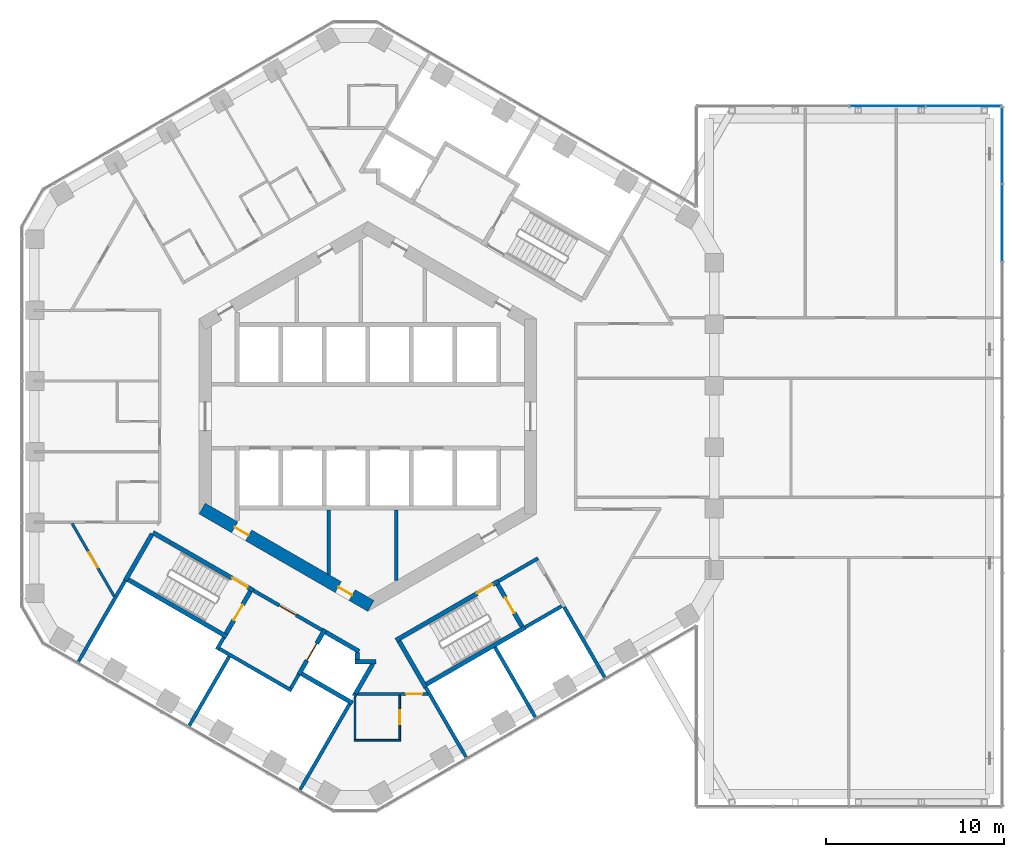
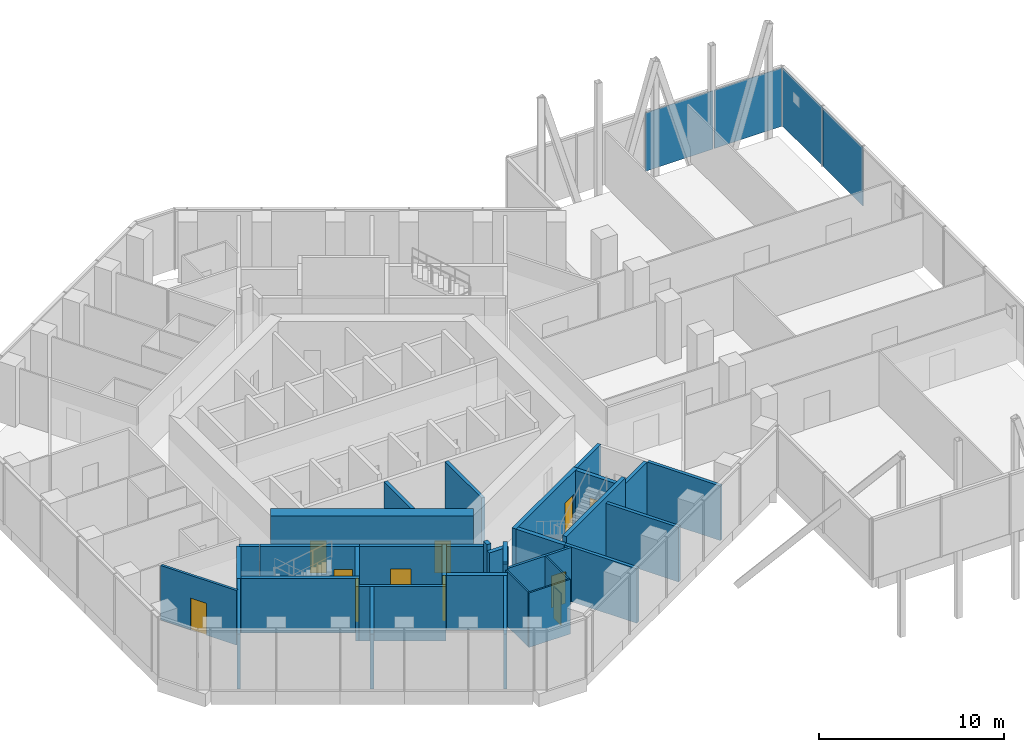
# One storey, part 18 of 24: 36 walls, 11 doors, 4 plates, 11 openings, 2 elements without a shape of their own.
"""IFC4 building model written with IfcOpenShell, lengths in metres."""

from ifc_helpers import new_model, si_unit, direction, frame, frame_2d, origin, origin_2d, place, context, subcontext, project, spatial, rectangle, extrude, material, layer, layer_set, type_object, element, fill, aggregate, save


model = new_model("IFC4")

# Units and contexts
model_context = context("Model", 3, precision=1e-05, world=origin(), true_north=direction((0.0, 1.0)))
body_context = subcontext(model_context, "Body", "Model", "MODEL_VIEW")
ifc_project = project(units=[si_unit("LENGTHUNIT", "METRE"), si_unit("AREAUNIT", "SQUARE_METRE"), si_unit("VOLUMEUNIT", "CUBIC_METRE"), si_unit("PLANEANGLEUNIT", "RADIAN"), si_unit("MASSUNIT", "GRAM", prefix="KILO")], contexts=[model_context])

# Site, building, storey
site_placement = place(None, origin())
site = spatial("IfcSite", under=ifc_project, at=site_placement, CompositionType="ELEMENT")
building_placement = place(site_placement, origin())
building = spatial("IfcBuilding", under=site, at=building_placement, Name="Ayvan Gate Tower", CompositionType="ELEMENT")
storey_placement = place(building_placement, frame((0.0, 0.0, 124.5)))
storey = spatial("IfcBuildingStorey", under=building, at=storey_placement, Name="L33", CompositionType="ELEMENT", Elevation=124.5)

# Curtain wall, plates
ifc_material_1 = material(Name="Bronze anodised aluminium", Category="aluminium")
ifc_layer_1 = layer(ifc_material_1, 0.199951171875)
ifc_layer_set_1 = layer_set([ifc_layer_1], Name="Bronze anodised aluminium")
curtain_wall_type = type_object("IfcCurtainWallType", Name="Stick curtain wall CW-4", PredefinedType="NOTDEFINED", material=ifc_layer_set_1)
curtain_wall_1_placement = place(storey_placement, origin())
curtain_wall_1 = element("IfcCurtainWall", 1, at=curtain_wall_1_placement, inside=storey, type_object=curtain_wall_type, Name="Stick curtain wall CW-4 L33", PredefinedType="NOTDEFINED")
ifc_material_2 = material(Name="Pale anodised aluminium composite panel", Category="aluminium")
ifc_layer_2 = layer(ifc_material_2, 0.028076171875)
ifc_layer_set_2 = layer_set([ifc_layer_2], Name="Pale anodised aluminium composite panel")
plate_type = type_object("IfcPlateType", Name="Stick curtain wall CW-4 solid panel", PredefinedType="CURTAIN_PANEL", material=ifc_layer_set_2)
plate_1_placement = place(storey_placement, frame((35.685546875, 10.88330078125, 0.0), z_axis=(0.0, 0.0, 1.0), x_axis=(0.0, 1.0, 0.0)))
plate_1 = element("IfcPlate", 2, at=plate_1_placement, type_object=plate_type, Name="CW-4 solid panel 8", PredefinedType="CURTAIN_PANEL", context=body_context, shape_type="SweptSolid", body=[
    extrude(rectangle(XDim=4.2978515625, YDim=0.028076171875, at=origin_2d()), origin(), (0.0, 0.0, 1.0), 3.860107421875),
])
plate_2_placement = place(storey_placement, frame((35.685546875, 15.26123046875, 0.0), z_axis=(0.0, 0.0, 1.0), x_axis=(0.0, 1.0, 0.0)))
plate_2 = element("IfcPlate", 3, at=plate_2_placement, type_object=plate_type, Name="CW-4 solid panel 9", PredefinedType="CURTAIN_PANEL", context=body_context, shape_type="SweptSolid", body=[
    extrude(rectangle(XDim=4.2978515625, YDim=0.028076171875, at=origin_2d()), origin(), (0.0, 0.0, 1.0), 3.860107421875),
])
aggregate(curtain_wall_1, [plate_1, plate_2])

curtain_wall_2_placement = place(storey_placement, origin())
curtain_wall_2 = element("IfcCurtainWall", 4, at=curtain_wall_2_placement, inside=storey, type_object=curtain_wall_type, Name="Stick curtain wall CW-4 L33", PredefinedType="NOTDEFINED")
plate_3_placement = place(storey_placement, frame((33.53564453125, 17.449951171875, 0.0), z_axis=(0.0, 0.0, 1.0), x_axis=(-1.0, 0.0, 0.0)))
plate_3 = element("IfcPlate", 5, at=plate_3_placement, type_object=plate_type, Name="CW-4 solid panel 1", PredefinedType="CURTAIN_PANEL", context=body_context, shape_type="SweptSolid", body=[
    extrude(rectangle(XDim=4.219970703125, YDim=0.028076171875, at=origin_2d()), origin(), (0.0, 0.0, 1.0), 3.860107421875),
])
plate_4_placement = place(storey_placement, frame((29.235595703125, 17.449951171875, 0.0), z_axis=(0.0, 0.0, 1.0), x_axis=(-1.0, 0.0, 0.0)))
plate_4 = element("IfcPlate", 6, at=plate_4_placement, type_object=plate_type, Name="CW-4 solid panel 2", PredefinedType="CURTAIN_PANEL", context=body_context, shape_type="SweptSolid", body=[
    extrude(rectangle(XDim=4.219970703125, YDim=0.028076171875, at=origin_2d()), origin(), (0.0, 0.0, 1.0), 3.860107421875),
])
aggregate(curtain_wall_2, [plate_3, plate_4])

# Wall, openings, doors
ifc_material_3 = material(Name="Concrete C70/85", Category="concrete")
ifc_layer_3 = layer(ifc_material_3, 0.699951171875)
ifc_layer_set_3 = layer_set([ifc_layer_3], Name="Concrete C70/85")
wall_type_1 = type_object("IfcWallType", Name="Core wall 700 C70/85", PredefinedType="SHEAR", material=ifc_layer_set_3)
wall_1_placement = place(storey_placement, frame((-9.324951171875, -5.181640625, 0.0), z_axis=(0.0, 0.0, 1.0), x_axis=(0.866023993627, -0.500002442456, 0.0)))
wall_1 = element("IfcWall", 7, at=wall_1_placement, inside=storey, type_object=wall_type_1, Name="CORE-L33-4", PredefinedType="SHEAR", context=body_context, shape_type="SweptSolid", body=[
    extrude(rectangle(XDim=10.9697265625, YDim=0.699951171875, at=frame_2d((5.48486328125, 0.0))), origin(), (0.0, 0.0, 1.0), 4.0),
])
opening_1_placement = place(wall_1_placement, frame((2.12451171875, 0.0, 0.0)))
opening_1 = element("IfcOpeningElement", 8, at=opening_1_placement, cuts=wall_1, Name="Opening L33-D48", PredefinedType="OPENING", context=body_context, shape_type="SweptSolid", body=[
    extrude(rectangle(XDim=0.89990234375, YDim=2.10009765625, at=frame_2d((0.449951171875, 1.050048828125))), frame((0.0, 0.35986328125, 0.0), z_axis=(0.0, -1.0, 0.0), x_axis=(1.0, 0.0, 0.0)), (0.0, 0.0, 1.0), 0.719970703125),
])
opening_2_placement = place(wall_1_placement, frame((8.8447265625, 0.0, 0.0)))
opening_2 = element("IfcOpeningElement", 9, at=opening_2_placement, cuts=wall_1, Name="Opening L33-D49", PredefinedType="OPENING", context=body_context, shape_type="SweptSolid", body=[
    extrude(rectangle(XDim=0.89990234375, YDim=2.10009765625, at=frame_2d((0.449951171875, 1.050048828125))), frame((0.0, 0.35986328125, 0.0), z_axis=(0.0, -1.0, 0.0), x_axis=(1.0, 0.0, 0.0)), (0.0, 0.0, 1.0), 0.719970703125),
])
ifc_material_4 = material(Name="Timber door leaf", Category="wood")
door_type_1 = type_object("IfcDoorType", Name="DT-900", OperationType="NOTDEFINED", PredefinedType="DOOR", material=ifc_material_4)
door_1_placement = place(opening_1_placement, origin())
door_1 = element("IfcDoor", 10, at=door_1_placement, inside=storey, type_object=door_type_1, Name="CD-L33-48", OperationType="SINGLE_SWING_LEFT", OverallHeight=2.10009765625, OverallWidth=0.89990234375, PredefinedType="DOOR", context=body_context, shape_type="SweptSolid", body=[
    extrude(rectangle(XDim=0.89990234375, YDim=2.10009765625, at=frame_2d((0.449951171875, 1.050048828125))), frame((0.0, 0.02490234375, 0.0), z_axis=(0.0, -1.0, 0.0), x_axis=(1.0, 0.0, 0.0)), (0.0, 0.0, 1.0), 0.050048828125),
])
fill(opening_1, door_1)
door_2_placement = place(opening_2_placement, origin())
door_2 = element("IfcDoor", 11, at=door_2_placement, inside=storey, type_object=door_type_1, Name="CD-L33-49", OperationType="SINGLE_SWING_RIGHT", OverallHeight=2.10009765625, OverallWidth=0.89990234375, PredefinedType="DOOR", context=body_context, shape_type="SweptSolid", body=[
    extrude(rectangle(XDim=0.89990234375, YDim=2.10009765625, at=frame_2d((0.449951171875, 1.050048828125))), frame((0.0, 0.02490234375, 0.0), z_axis=(0.0, -1.0, 0.0), x_axis=(1.0, 0.0, 0.0)), (0.0, 0.0, 1.0), 0.050048828125),
])
fill(opening_2, door_2)

# Wall, opening, door
ifc_material_5 = material(Name="Plasterboard on steel stud", Category="steel")
ifc_layer_4 = layer(ifc_material_5, 0.14990234375)
ifc_layer_set_4 = layer_set([ifc_layer_4], Name="Plasterboard on steel stud")
wall_type_2 = type_object("IfcWallType", Name="WT-CORR-150", PredefinedType="PARTITIONING", material=ifc_layer_set_4)
wall_2_placement = place(storey_placement, frame((-14.263671875, -10.132080078125, 0.0), z_axis=(0.0, 0.0, 1.0), x_axis=(-0.500004756968, 0.866022657331, 0.0)))
wall_2 = element("IfcWall", 12, at=wall_2_placement, inside=storey, type_object=wall_type_2, Name="IW-L33-006", PredefinedType="PARTITIONING", context=body_context, shape_type="SweptSolid", body=[
    extrude(rectangle(XDim=4.7412109375, YDim=0.14990234375, at=frame_2d((2.37060546875, 0.0))), origin(), (0.0, 0.0, 1.0), 3.60009765625),
])
opening_3_placement = place(wall_2_placement, frame((1.87060546875, 0.0, 0.0)))
opening_3 = element("IfcOpeningElement", 13, at=opening_3_placement, cuts=wall_2, Name="Opening L33-D25", PredefinedType="OPENING", context=body_context, shape_type="SweptSolid", body=[
    extrude(rectangle(XDim=1.0, YDim=2.10009765625, at=frame_2d((0.5, 1.050048828125))), frame((0.0, 0.0849609375, 0.0), z_axis=(0.0, -1.0, 0.0), x_axis=(1.0, 0.0, 0.0)), (0.0, 0.0, 1.0), 0.169921875),
])
door_type_2 = type_object("IfcDoorType", Name="DT-1000", OperationType="NOTDEFINED", PredefinedType="DOOR", material=ifc_material_4)
door_3_placement = place(opening_3_placement, origin())
door_3 = element("IfcDoor", 14, at=door_3_placement, inside=storey, type_object=door_type_2, Name="ID-L33-025", OperationType="SINGLE_SWING_RIGHT", OverallHeight=2.10009765625, OverallWidth=1.0, PredefinedType="DOOR", context=body_context, shape_type="SweptSolid", body=[
    extrude(rectangle(XDim=1.0, YDim=2.10009765625, at=frame_2d((0.5, 1.050048828125))), frame((0.0, 0.02490234375, 0.0), z_axis=(0.0, -1.0, 0.0), x_axis=(1.0, 0.0, 0.0)), (0.0, 0.0, 1.0), 0.050048828125),
])
fill(opening_3, door_3)

wall_3_placement = place(storey_placement, frame((-0.57861328125, -15.61865234375, 0.0), z_axis=(0.0, 0.0, 1.0), x_axis=(1.0, 0.0, 0.0)))
wall_3 = element("IfcWall", 15, at=wall_3_placement, inside=storey, type_object=wall_type_2, Name="IW-L33-076", PredefinedType="PARTITIONING", context=body_context, shape_type="SweptSolid", body=[
    extrude(rectangle(XDim=3.95361328125, YDim=0.14990234375, at=frame_2d((1.976806640625, 0.0))), origin(), (0.0, 0.0, 1.0), 3.60009765625),
])
opening_4_placement = place(wall_3_placement, frame((2.727294921875, 0.0, 0.0)))
opening_4 = element("IfcOpeningElement", 16, at=opening_4_placement, cuts=wall_3, Name="Opening L33-D26", PredefinedType="OPENING", context=body_context, shape_type="SweptSolid", body=[
    extrude(rectangle(XDim=0.89990234375, YDim=2.10009765625, at=frame_2d((0.449951171875, 1.050048828125))), frame((0.0, 0.0849609375, 0.0), z_axis=(0.0, -1.0, 0.0), x_axis=(1.0, 0.0, 0.0)), (0.0, 0.0, 1.0), 0.169921875),
])
door_4_placement = place(opening_4_placement, origin())
door_4 = element("IfcDoor", 17, at=door_4_placement, inside=storey, type_object=door_type_1, Name="ID-L33-026", OperationType="SINGLE_SWING_LEFT", OverallHeight=2.10009765625, OverallWidth=0.89990234375, PredefinedType="DOOR", context=body_context, shape_type="SweptSolid", body=[
    extrude(rectangle(XDim=0.89990234375, YDim=2.10009765625, at=frame_2d((0.449951171875, 1.050048828125))), frame((0.0, 0.02490234375, 0.0), z_axis=(0.0, -1.0, 0.0), x_axis=(1.0, 0.0, 0.0)), (0.0, 0.0, 1.0), 0.050048828125),
])
fill(opening_4, door_4)

# Walls
ifc_layer_5 = layer(ifc_material_5, 0.10009765625)
ifc_layer_set_5 = layer_set([ifc_layer_5], Name="Plasterboard on steel stud")
wall_type_3 = type_object("IfcWallType", Name="WT-PART-100", PredefinedType="PARTITIONING", material=ifc_layer_set_5)
wall_4_placement = place(storey_placement, frame((-0.77099609375, -18.21875, 0.0), z_axis=(0.0, 0.0, 1.0), x_axis=(1.0, 0.0, 0.0)))
element("IfcWall", 18, at=wall_4_placement, inside=storey, type_object=wall_type_3, Name="IW-L33-057", PredefinedType="PARTITIONING", context=body_context, shape_type="SweptSolid", body=[
    extrude(rectangle(XDim=2.61328125, YDim=0.10009765625, at=frame_2d((1.306640625, 0.0))), origin(), (0.0, 0.0, 1.0), 3.60009765625),
])
wall_5_placement = place(storey_placement, frame((-0.720947265625, -15.773681640625, 0.0), z_axis=(0.0, 0.0, 1.0), x_axis=(0.0, -1.0, 0.0)))
element("IfcWall", 19, at=wall_5_placement, inside=storey, type_object=wall_type_3, Name="IW-L33-058", PredefinedType="PARTITIONING", context=body_context, shape_type="SweptSolid", body=[
    extrude(rectangle(XDim=2.39501953125, YDim=0.10009765625, at=frame_2d((1.197509765625, 0.0))), origin(), (0.0, 0.0, 1.0), 3.60009765625),
])

# Wall, opening, door
wall_6_placement = place(storey_placement, frame((1.792236328125, -18.168701171875, 0.0), z_axis=(0.0, 0.0, 1.0), x_axis=(0.0, 1.0, 0.0)))
wall_6 = element("IfcWall", 20, at=wall_6_placement, inside=storey, type_object=wall_type_3, Name="IW-L33-075", PredefinedType="PARTITIONING", context=body_context, shape_type="SweptSolid", body=[
    extrude(rectangle(XDim=2.47509765625, YDim=0.10009765625, at=frame_2d((1.237548828125, 0.0))), origin(), (0.0, 0.0, 1.0), 3.60009765625),
])
opening_5_placement = place(wall_6_placement, frame((0.83740234375, 0.0, 0.0)))
opening_5 = element("IfcOpeningElement", 21, at=opening_5_placement, cuts=wall_6, Name="Opening L33-D27", PredefinedType="OPENING", context=body_context, shape_type="SweptSolid", body=[
    extrude(rectangle(XDim=0.800048828125, YDim=2.10009765625, at=frame_2d((0.39990234375, 1.050048828125))), frame((0.0, 0.06005859375, 0.0), z_axis=(0.0, -1.0, 0.0), x_axis=(1.0, 0.0, 0.0)), (0.0, 0.0, 1.0), 0.1201171875),
])
door_type_3 = type_object("IfcDoorType", Name="DT-800", OperationType="NOTDEFINED", PredefinedType="DOOR", material=ifc_material_4)
door_5_placement = place(opening_5_placement, origin())
door_5 = element("IfcDoor", 22, at=door_5_placement, inside=storey, type_object=door_type_3, Name="ID-L33-027", OperationType="SINGLE_SWING_RIGHT", OverallHeight=2.10009765625, OverallWidth=0.800048828125, PredefinedType="DOOR", context=body_context, shape_type="SweptSolid", body=[
    extrude(rectangle(XDim=0.800048828125, YDim=2.10009765625, at=frame_2d((0.39990234375, 1.050048828125))), frame((0.0, 0.02490234375, 0.0), z_axis=(0.0, -1.0, 0.0), x_axis=(1.0, 0.0, 0.0)), (0.0, 0.0, 1.0), 0.050048828125),
])
fill(opening_5, door_5)

# Walls
ifc_layer_6 = layer(ifc_material_5, 0.199951171875)
ifc_layer_set_6 = layer_set([ifc_layer_6], Name="Plasterboard on steel stud")
wall_type_4 = type_object("IfcWallType", Name="WT-PLUMB-200", PredefinedType="PLUMBINGWALL", material=ifc_layer_set_6)
wall_7_placement = place(storey_placement, frame((-16.276123046875, -13.791259765625, 0.0), z_axis=(0.0, 0.0, 1.0), x_axis=(0.499970375258, 0.866042506961, 0.0)))
element("IfcWall", 23, at=wall_7_placement, inside=storey, type_object=wall_type_4, Name="IW-L33-004", PredefinedType="PLUMBINGWALL", context=body_context, shape_type="SweptSolid", body=[
    extrude(rectangle(XDim=5.256591796875, YDim=0.199951171875, at=frame_2d((2.62841796875, 0.0))), origin(), (0.0, 0.0, 1.0), 3.60009765625),
])
wall_8_placement = place(storey_placement, frame((-8.492919921875, -13.110107421875, 0.0), z_axis=(0.0, 0.0, 1.0), x_axis=(0.500067724834, 0.865986299303, 0.0)))
element("IfcWall", 24, at=wall_8_placement, inside=storey, type_object=wall_type_4, Name="IW-L33-023", PredefinedType="PLUMBINGWALL", context=body_context, shape_type="SweptSolid", body=[
    extrude(rectangle(XDim=0.775390625, YDim=0.199951171875, at=frame_2d((0.3876953125, 0.0))), origin(), (0.0, 0.0, 1.0), 3.60009765625),
])
wall_9_placement = place(storey_placement, frame((-7.800048828125, -13.510009765625, 0.0), z_axis=(0.0, 0.0, 1.0), x_axis=(-0.499994393058, -0.866028640929, 0.0)))
element("IfcWall", 25, at=wall_9_placement, inside=storey, type_object=wall_type_4, Name="IW-L33-025", PredefinedType="PLUMBINGWALL", context=body_context, shape_type="SweptSolid", body=[
    extrude(rectangle(XDim=4.4814453125, YDim=0.199951171875, at=frame_2d((2.24072265625, 0.0))), origin(), (0.0, 0.0, 1.0), 3.60009765625),
])
wall_10_placement = place(storey_placement, frame((-8.356201171875, -13.073486328125, 0.0), z_axis=(0.0, 0.0, 1.0), x_axis=(0.866038532462, -0.499977259774, 0.0)))
element("IfcWall", 26, at=wall_10_placement, inside=storey, type_object=wall_type_4, Name="IW-L33-026", PredefinedType="PLUMBINGWALL", context=body_context, shape_type="SweptSolid", body=[
    extrude(rectangle(XDim=4.699951171875, YDim=0.199951171875, at=frame_2d((2.35009765625, 0.0))), origin(), (0.0, 0.0, 1.0), 3.60009765625),
])
wall_11_placement = place(storey_placement, frame((-3.885009765625, -14.52880859375, 0.0), z_axis=(0.0, 0.0, 1.0), x_axis=(-0.499859285417, -0.866106630146, 0.0)))
element("IfcWall", 27, at=wall_11_placement, inside=storey, type_object=wall_type_4, Name="IW-L33-044", PredefinedType="PLUMBINGWALL", context=body_context, shape_type="SweptSolid", body=[
    extrude(rectangle(XDim=0.875244140625, YDim=0.199951171875, at=frame_2d((0.4375, 0.0))), origin(), (0.0, 0.0, 1.0), 3.60009765625),
])
wall_12_placement = place(storey_placement, frame((-1.027099609375, -16.178955078125, 0.0), z_axis=(0.0, 0.0, 1.0), x_axis=(-0.499995019066, -0.866028279509, 0.0)))
element("IfcWall", 28, at=wall_12_placement, inside=storey, type_object=wall_type_4, Name="IW-L33-055", PredefinedType="PLUMBINGWALL", context=body_context, shape_type="SweptSolid", body=[
    extrude(rectangle(XDim=5.556640625, YDim=0.199951171875, at=frame_2d((2.7783203125, 0.0))), origin(), (0.0, 0.0, 1.0), 3.60009765625),
])
for number, where, z_axis, x_axis, name in (
    (29, (3.255615234375, -15.23876953125, 0.0), (0.0, 0.0, 1.0), (0.499978822259, -0.866037630414, 0.0), "IW-L33-083"),
    (30, (7.152587890625, -12.98876953125, 0.0), (0.0, 0.0, 1.0), (0.50001920778, -0.866014313884, 0.0), "IW-L33-090"),
):
    element("IfcWall", number, at=place(storey_placement, frame(where, z_axis=z_axis, x_axis=x_axis)), inside=storey, type_object=wall_type_4, Name=name, PredefinedType="PLUMBINGWALL", context=body_context, shape_type="SweptSolid", body=[
        extrude(rectangle(XDim=4.533935546875, YDim=0.199951171875, at=frame_2d((2.26708984375, 0.0))), origin(), (0.0, 0.0, 1.0), 3.60009765625),
    ])
wall_13_placement = place(storey_placement, frame((10.900634765625, -10.6806640625, 0.0), z_axis=(0.0, 0.0, 1.0), x_axis=(-0.866007538022, -0.500030943131, 0.0)))
element("IfcWall", 31, at=wall_13_placement, inside=storey, type_object=wall_type_4, Name="IW-L33-102", PredefinedType="PLUMBINGWALL", context=body_context, shape_type="SweptSolid", body=[
    extrude(rectangle(XDim=2.374755859375, YDim=0.199951171875, at=frame_2d((1.1875, 0.0))), origin(), (0.0, 0.0, 1.0), 3.60009765625),
])
wall_14_placement = place(storey_placement, frame((11.037353515625, -10.71728515625, 0.0), z_axis=(0.0, 0.0, 1.0), x_axis=(0.500026861956, -0.866009894472, 0.0)))
element("IfcWall", 32, at=wall_14_placement, inside=storey, type_object=wall_type_4, Name="IW-L33-103", PredefinedType="PLUMBINGWALL", context=body_context, shape_type="SweptSolid", body=[
    extrude(rectangle(XDim=4.558837890625, YDim=0.199951171875, at=frame_2d((2.279296875, 0.0))), origin(), (0.0, 0.0, 1.0), 3.60009765625),
])

# Wall, opening, door
ifc_layer_7 = layer(ifc_material_5, 0.199951171875)
ifc_layer_set_7 = layer_set([ifc_layer_7], Name="Plasterboard on steel stud")
wall_type_5 = type_object("IfcWallType", Name="WT-RATED-200", PredefinedType="PARTITIONING", material=ifc_layer_set_7)
wall_15_placement = place(storey_placement, frame((-6.4345703125, -9.794921875, 0.0), z_axis=(0.0, 0.0, 1.0), x_axis=(0.866012907634, -0.500021643343, 0.0)))
wall_15 = element("IfcWall", 33, at=wall_15_placement, inside=storey, type_object=wall_type_5, Name="IW-L33-035", PredefinedType="PARTITIONING", context=body_context, shape_type="SweptSolid", body=[
    extrude(rectangle(XDim=4.449951171875, YDim=0.199951171875, at=frame_2d((2.22509765625, 0.0))), origin(), (0.0, 0.0, 1.0), 3.60009765625),
])
opening_6_placement = place(wall_15_placement, frame((1.675048828125, 0.0, 0.0)))
opening_6 = element("IfcOpeningElement", 34, at=opening_6_placement, cuts=wall_15, Name="Opening L33-D12", PredefinedType="OPENING", context=body_context, shape_type="SweptSolid", body=[
    extrude(rectangle(XDim=1.10009765625, YDim=2.10009765625, at=frame_2d((0.550048828125, 1.050048828125))), frame((0.0, 0.10986328125, 0.0), z_axis=(0.0, -1.0, 0.0), x_axis=(1.0, 0.0, 0.0)), (0.0, 0.0, 1.0), 0.219970703125),
])
door_type_4 = type_object("IfcDoorType", Name="DT-1100", OperationType="NOTDEFINED", PredefinedType="DOOR", material=ifc_material_4)
door_6_placement = place(opening_6_placement, origin())
door_6 = element("IfcDoor", 35, at=door_6_placement, inside=storey, type_object=door_type_4, Name="ID-L33-012", OperationType="SINGLE_SWING_LEFT", OverallHeight=2.10009765625, OverallWidth=1.10009765625, PredefinedType="DOOR", context=body_context, shape_type="SweptSolid", body=[
    extrude(rectangle(XDim=1.10009765625, YDim=2.10009765625, at=frame_2d((0.550048828125, 1.050048828125))), frame((0.0, 0.02490234375, 0.0), z_axis=(0.0, -1.0, 0.0), x_axis=(1.0, 0.0, 0.0)), (0.0, 0.0, 1.0), 0.050048828125),
])
fill(opening_6, door_6)

# Walls
wall_16_placement = place(storey_placement, frame((-2.199951171875, -5.27490234375, 0.0), z_axis=(0.0, 0.0, 1.0), x_axis=(0.0, -1.0, 0.0)))
element("IfcWall", 36, at=wall_16_placement, inside=storey, type_object=wall_type_5, Name="IW-L33-052", PredefinedType="PARTITIONING", context=body_context, shape_type="SweptSolid", body=[
    extrude(rectangle(XDim=3.6162109375, YDim=0.199951171875, at=frame_2d((1.80810546875, 0.0))), origin(), (0.0, 0.0, 1.0), 3.60009765625),
])
wall_17_placement = place(storey_placement, frame((1.60009765625, -5.27490234375, 0.0), z_axis=(0.0, 0.0, 1.0), x_axis=(0.0, -1.0, 0.0)))
element("IfcWall", 37, at=wall_17_placement, inside=storey, type_object=wall_type_5, Name="IW-L33-071", PredefinedType="PARTITIONING", context=body_context, shape_type="SweptSolid", body=[
    extrude(rectangle(XDim=3.962646484375, YDim=0.199951171875, at=frame_2d((1.9814453125, 0.0))), origin(), (0.0, 0.0, 1.0), 3.60009765625),
])
wall_18_placement = place(storey_placement, frame((7.343994140625, -9.27001953125, 0.0), z_axis=(0.0, 0.0, 1.0), x_axis=(0.866005588531, 0.500034319456, 0.0)))
element("IfcWall", 38, at=wall_18_placement, inside=storey, type_object=wall_type_5, Name="IW-L33-093", PredefinedType="PARTITIONING", context=body_context, shape_type="SweptSolid", body=[
    extrude(rectangle(XDim=2.574951171875, YDim=0.199951171875, at=frame_2d((1.28759765625, 0.0))), origin(), (0.0, 0.0, 1.0), 3.60009765625),
])
ifc_material_6 = material(Name="Concrete C50/60", Category="concrete")
ifc_layer_8 = layer(ifc_material_6, 0.25)
ifc_layer_set_8 = layer_set([ifc_layer_8], Name="Concrete C50/60")
wall_type_6 = type_object("IfcWallType", Name="WT-RC-250", PredefinedType="SHEAR", material=ifc_layer_set_8)
wall_19_placement = place(storey_placement, frame((-13.64794921875, -9.23876953125, 0.0), z_axis=(0.0, 0.0, 1.0), x_axis=(0.50000556753, 0.866022189346, 0.0)))
element("IfcWall", 39, at=wall_19_placement, inside=storey, type_object=wall_type_6, Name="IW-L33-011", PredefinedType="SHEAR", context=body_context, shape_type="SweptSolid", body=[
    extrude(rectangle(XDim=3.03564453125, YDim=0.25, at=frame_2d((1.517822265625, 0.0))), origin(), (0.0, 0.0, 1.0), 3.60009765625),
])
wall_20_placement = place(storey_placement, frame((-12.08544921875, -6.532470703125, 0.0), z_axis=(0.0, 0.0, 1.0), x_axis=(0.86604373436, -0.499968249168, 0.0)))
element("IfcWall", 40, at=wall_20_placement, inside=storey, type_object=wall_type_6, Name="IW-L33-013", PredefinedType="SHEAR", context=body_context, shape_type="SweptSolid", body=[
    extrude(rectangle(XDim=1.11767578125, YDim=0.25, at=frame_2d((0.558837890625, 0.0))), origin(), (0.0, 0.0, 1.0), 3.60009765625),
])

# Wall, opening, door
wall_21_placement = place(storey_placement, frame((-11.10009765625, -7.101318359375, 0.0), z_axis=(0.0, 0.0, 1.0), x_axis=(0.866028615007, -0.499994437958, 0.0)))
wall_21 = element("IfcWall", 41, at=wall_21_placement, inside=storey, type_object=wall_type_6, Name="IW-L33-018", PredefinedType="SHEAR", context=body_context, shape_type="SweptSolid", body=[
    extrude(rectangle(XDim=5.38720703125, YDim=0.25, at=frame_2d((2.693603515625, 0.0))), origin(), (0.0, 0.0, 1.0), 3.60009765625),
])
opening_7_placement = place(wall_21_placement, frame((4.01220703125, 0.0, 0.0)))
opening_7 = element("IfcOpeningElement", 42, at=opening_7_placement, cuts=wall_21, Name="Opening L33-D10", PredefinedType="OPENING", context=body_context, shape_type="SweptSolid", body=[
    extrude(rectangle(XDim=1.0, YDim=2.10009765625, at=frame_2d((0.5, 1.050048828125))), frame((0.0, 0.135009765625, 0.0), z_axis=(0.0, -1.0, 0.0), x_axis=(1.0, 0.0, 0.0)), (0.0, 0.0, 1.0), 0.27001953125),
])
door_7_placement = place(opening_7_placement, origin())
door_7 = element("IfcDoor", 43, at=door_7_placement, inside=storey, type_object=door_type_2, Name="ID-L33-010", OperationType="SINGLE_SWING_LEFT", OverallHeight=2.10009765625, OverallWidth=1.0, PredefinedType="DOOR", context=body_context, shape_type="SweptSolid", body=[
    extrude(rectangle(XDim=1.0, YDim=2.10009765625, at=frame_2d((0.5, 1.050048828125))), frame((0.0, 0.02490234375, 0.0), z_axis=(0.0, -1.0, 0.0), x_axis=(1.0, 0.0, 0.0)), (0.0, 0.0, 1.0), 0.050048828125),
])
fill(opening_7, door_7)

# Wall
wall_22_placement = place(storey_placement, frame((-7.9345703125, -12.39306640625, 0.0), z_axis=(0.0, 0.0, 1.0), x_axis=(-0.866025499775, 0.499999833739, 0.0)))
element("IfcWall", 44, at=wall_22_placement, inside=storey, type_object=wall_type_6, Name="IW-L33-024", PredefinedType="SHEAR", context=body_context, shape_type="SweptSolid", body=[
    extrude(rectangle(XDim=6.39990234375, YDim=0.25, at=frame_2d((3.199951171875, 0.0))), origin(), (0.0, 0.0, 1.0), 3.60009765625),
])

# Wall, opening, door
wall_23_placement = place(storey_placement, frame((-6.605224609375, -9.8408203125, 0.0), z_axis=(0.0, 0.0, 1.0), x_axis=(-0.499996545922, -0.866027397988, 0.0)))
wall_23 = element("IfcWall", 45, at=wall_23_placement, inside=storey, type_object=wall_type_6, Name="IW-L33-034", PredefinedType="SHEAR", context=body_context, shape_type="SweptSolid", body=[
    extrude(rectangle(XDim=2.75, YDim=0.25, at=frame_2d((1.375, 0.0))), origin(), (0.0, 0.0, 1.0), 3.60009765625),
])
opening_8_placement = place(wall_23_placement, frame((0.875, 0.0, 0.0)))
opening_8 = element("IfcOpeningElement", 46, at=opening_8_placement, cuts=wall_23, Name="Opening L33-D11", PredefinedType="OPENING", context=body_context, shape_type="SweptSolid", body=[
    extrude(rectangle(XDim=1.0, YDim=2.10009765625, at=frame_2d((0.5, 1.050048828125))), frame((0.0, 0.135009765625, 0.0), z_axis=(0.0, -1.0, 0.0), x_axis=(1.0, 0.0, 0.0)), (0.0, 0.0, 1.0), 0.27001953125),
])
door_8_placement = place(opening_8_placement, origin())
door_8 = element("IfcDoor", 47, at=door_8_placement, inside=storey, type_object=door_type_2, Name="ID-L33-011", OperationType="SINGLE_SWING_RIGHT", OverallHeight=2.10009765625, OverallWidth=1.0, PredefinedType="DOOR", context=body_context, shape_type="SweptSolid", body=[
    extrude(rectangle(XDim=1.0, YDim=2.10009765625, at=frame_2d((0.5, 1.050048828125))), frame((0.0, 0.02490234375, 0.0), z_axis=(0.0, -1.0, 0.0), x_axis=(1.0, 0.0, 0.0)), (0.0, 0.0, 1.0), 0.050048828125),
])
fill(opening_8, door_8)

wall_24_placement = place(storey_placement, frame((-2.409912109375, -11.97412109375, 0.0), z_axis=(0.0, 0.0, 1.0), x_axis=(-0.500001826776, -0.866024349092, 0.0)))
wall_24 = element("IfcWall", 48, at=wall_24_placement, inside=storey, type_object=wall_type_6, Name="IW-L33-048", PredefinedType="SHEAR", context=body_context, shape_type="SweptSolid", body=[
    extrude(rectangle(XDim=2.9501953125, YDim=0.25, at=frame_2d((1.47509765625, 0.0))), origin(), (0.0, 0.0, 1.0), 3.60009765625),
])
opening_9_placement = place(wall_24_placement, frame((0.925048828125, 0.0, 0.0)))
opening_9 = element("IfcOpeningElement", 49, at=opening_9_placement, cuts=wall_24, Name="Opening L33-LD-FF2", PredefinedType="OPENING", context=body_context, shape_type="SweptSolid", body=[
    extrude(rectangle(XDim=1.10009765625, YDim=2.10009765625, at=frame_2d((0.550048828125, 1.050048828125))), frame((0.0, 0.135009765625, 0.0), z_axis=(0.0, -1.0, 0.0), x_axis=(1.0, 0.0, 0.0)), (0.0, 0.0, 1.0), 0.27001953125),
])
ifc_material_7 = material(Name="Stainless steel landing door", Category="steel")
door_type_5 = type_object("IfcDoorType", Name="DT-LANDING-1100", OperationType="SLIDING_TO_LEFT", PredefinedType="DOOR", material=ifc_material_7)
door_9_placement = place(opening_9_placement, origin())
door_9 = element("IfcDoor", 50, at=door_9_placement, inside=storey, type_object=door_type_5, Name="ID-L33-013", OperationType="SLIDING_TO_LEFT", OverallHeight=2.10009765625, OverallWidth=1.10009765625, PredefinedType="DOOR", context=body_context, shape_type="SweptSolid", body=[
    extrude(rectangle(XDim=1.10009765625, YDim=2.10009765625, at=frame_2d((0.550048828125, 1.050048828125))), frame((0.0, 0.02490234375, 0.0), z_axis=(0.0, -1.0, 0.0), x_axis=(1.0, 0.0, 0.0)), (0.0, 0.0, 1.0), 0.050048828125),
])
fill(opening_9, door_9)

# Walls
wall_25_placement = place(storey_placement, frame((-2.3642578125, -12.14501953125, 0.0), z_axis=(0.0, 0.0, 1.0), x_axis=(0.86603892542, -0.499976579108, 0.0)))
element("IfcWall", 51, at=wall_25_placement, inside=storey, type_object=wall_type_6, Name="IW-L33-049", PredefinedType="SHEAR", context=body_context, shape_type="SweptSolid", body=[
    extrude(rectangle(XDim=2.162109375, YDim=0.25, at=frame_2d((1.0810546875, 0.0))), origin(), (0.0, 0.0, 1.0), 3.60009765625),
])
wall_26_placement = place(storey_placement, frame((-0.8564453125, -16.13330078125, 0.0), z_axis=(0.0, 0.0, 1.0), x_axis=(-0.866021716278, 0.500006386895, 0.0)))
element("IfcWall", 52, at=wall_26_placement, inside=storey, type_object=wall_type_6, Name="IW-L33-056", PredefinedType="SHEAR", context=body_context, shape_type="SweptSolid", body=[
    extrude(rectangle(XDim=3.2998046875, YDim=0.25, at=frame_2d((1.64990234375, 0.0))), origin(), (0.0, 0.0, 1.0), 3.60009765625),
])
wall_27_placement = place(storey_placement, frame((-0.69580078125, -15.605224609375, 0.0), z_axis=(0.0, 0.0, 1.0), x_axis=(-0.500783975169, -0.865572302129, 0.0)))
element("IfcWall", 53, at=wall_27_placement, inside=storey, type_object=wall_type_6, Name="IW-L33-059", PredefinedType="SHEAR", context=body_context, shape_type="SweptSolid", body=[
    extrude(rectangle(XDim=0.152587890625, YDim=0.25, at=frame_2d((0.076171875, 0.0))), origin(), (0.0, 0.0, 1.0), 4.0),
])
wall_28_placement = place(storey_placement, frame((-0.72509765625, -13.81005859375, 0.0), z_axis=(0.0, 0.0, 1.0), x_axis=(1.0, 0.0, 0.0)))
element("IfcWall", 54, at=wall_28_placement, inside=storey, type_object=wall_type_6, Name="IW-L33-060", PredefinedType="SHEAR", context=body_context, shape_type="SweptSolid", body=[
    extrude(rectangle(XDim=1.190673828125, YDim=0.25, at=frame_2d((0.59521484375, 0.0))), origin(), (0.0, 0.0, 1.0), 3.60009765625),
])
wall_29_placement = place(storey_placement, frame((-0.60009765625, -13.28857421875, 0.0), z_axis=(0.0, 0.0, 1.0), x_axis=(0.0, -1.0, 0.0)))
element("IfcWall", 55, at=wall_29_placement, inside=storey, type_object=wall_type_6, Name="IW-L33-061", PredefinedType="SHEAR", context=body_context, shape_type="SweptSolid", body=[
    extrude(rectangle(XDim=0.396484375, YDim=0.25, at=frame_2d((0.1982421875, 0.0))), origin(), (0.0, 0.0, 1.0), 4.0),
])
wall_30_placement = place(storey_placement, frame((0.278076171875, -13.918212890625, 0.0), z_axis=(0.0, 0.0, 1.0), x_axis=(-0.499959831567, -0.866048593798, 0.0)))
element("IfcWall", 56, at=wall_30_placement, inside=storey, type_object=wall_type_6, Name="IW-L33-066", PredefinedType="SHEAR", context=body_context, shape_type="SweptSolid", body=[
    extrude(rectangle(XDim=1.958740234375, YDim=0.25, at=frame_2d((0.9794921875, 0.0))), origin(), (0.0, 0.0, 1.0), 4.0),
])

# Wall, opening, door
wall_31_placement = place(storey_placement, frame((1.584716796875, -12.594970703125, 0.0), z_axis=(0.0, 0.0, 1.0), x_axis=(0.866036417653, 0.499980922934, 0.0)))
wall_31 = element("IfcWall", 57, at=wall_31_placement, inside=storey, type_object=wall_type_6, Name="IW-L33-074", PredefinedType="SHEAR", context=body_context, shape_type="SweptSolid", body=[
    extrude(rectangle(XDim=6.650146484375, YDim=0.25, at=frame_2d((3.3251953125, 0.0))), origin(), (0.0, 0.0, 1.0), 3.60009765625),
])
opening_10_placement = place(wall_31_placement, frame((5.27490234375, 0.0, 0.0)))
opening_10 = element("IfcOpeningElement", 58, at=opening_10_placement, cuts=wall_31, Name="Opening L33-D14", PredefinedType="OPENING", context=body_context, shape_type="SweptSolid", body=[
    extrude(rectangle(XDim=1.0, YDim=2.10009765625, at=frame_2d((0.5, 1.050048828125))), frame((0.0, 0.135009765625, 0.0), z_axis=(0.0, -1.0, 0.0), x_axis=(1.0, 0.0, 0.0)), (0.0, 0.0, 1.0), 0.27001953125),
])
door_10_placement = place(opening_10_placement, origin())
door_10 = element("IfcDoor", 59, at=door_10_placement, inside=storey, type_object=door_type_2, Name="ID-L33-014", OperationType="SINGLE_SWING_LEFT", OverallHeight=2.10009765625, OverallWidth=1.0, PredefinedType="DOOR", context=body_context, shape_type="SweptSolid", body=[
    extrude(rectangle(XDim=1.0, YDim=2.10009765625, at=frame_2d((0.5, 1.050048828125))), frame((0.0, 0.02490234375, 0.0), z_axis=(0.0, -1.0, 0.0), x_axis=(1.0, 0.0, 0.0)), (0.0, 0.0, 1.0), 0.050048828125),
])
fill(opening_10, door_10)

# Walls
wall_32_placement = place(storey_placement, frame((3.255615234375, -15.23876953125, 0.0), z_axis=(0.0, 0.0, 1.0), x_axis=(-0.50002537861, 0.866010750942, 0.0)))
element("IfcWall", 60, at=wall_32_placement, inside=storey, type_object=wall_type_6, Name="IW-L33-081", PredefinedType="SHEAR", context=body_context, shape_type="SweptSolid", body=[
    extrude(rectangle(XDim=2.999755859375, YDim=0.25, at=frame_2d((1.5, 0.0))), origin(), (0.0, 0.0, 1.0), 3.60009765625),
])
wall_33_placement = place(storey_placement, frame((3.30126953125, -15.068115234375, 0.0), z_axis=(0.0, 0.0, 1.0), x_axis=(0.866035036182, 0.499983315828, 0.0)))
element("IfcWall", 61, at=wall_33_placement, inside=storey, type_object=wall_type_6, Name="IW-L33-091", PredefinedType="SHEAR", context=body_context, shape_type="SweptSolid", body=[
    extrude(rectangle(XDim=6.400146484375, YDim=0.25, at=frame_2d((3.2001953125, 0.0))), origin(), (0.0, 0.0, 1.0), 4.0),
])

# Wall, opening, door
wall_34_placement = place(storey_placement, frame((7.298095703125, -9.44091796875, 0.0), z_axis=(0.0, 0.0, 1.0), x_axis=(0.500034990121, -0.866005201286, 0.0)))
wall_34 = element("IfcWall", 62, at=wall_34_placement, inside=storey, type_object=wall_type_6, Name="IW-L33-092", PredefinedType="SHEAR", context=body_context, shape_type="SweptSolid", body=[
    extrude(rectangle(XDim=2.749755859375, YDim=0.25, at=frame_2d((1.375, 0.0))), origin(), (0.0, 0.0, 1.0), 3.60009765625),
])
opening_11_placement = place(wall_34_placement, frame((0.875, 0.0, 0.0)))
opening_11 = element("IfcOpeningElement", 63, at=opening_11_placement, cuts=wall_34, Name="Opening L33-D16", PredefinedType="OPENING", context=body_context, shape_type="SweptSolid", body=[
    extrude(rectangle(XDim=1.0, YDim=2.10009765625, at=frame_2d((0.5, 1.050048828125))), frame((0.0, 0.135009765625, 0.0), z_axis=(0.0, -1.0, 0.0), x_axis=(1.0, 0.0, 0.0)), (0.0, 0.0, 1.0), 0.27001953125),
])
door_11_placement = place(opening_11_placement, origin())
door_11 = element("IfcDoor", 64, at=door_11_placement, inside=storey, type_object=door_type_2, Name="ID-L33-016", OperationType="SINGLE_SWING_LEFT", OverallHeight=2.10009765625, OverallWidth=1.0, PredefinedType="DOOR", context=body_context, shape_type="SweptSolid", body=[
    extrude(rectangle(XDim=1.0, YDim=2.10009765625, at=frame_2d((0.5, 1.050048828125))), frame((0.0, 0.02490234375, 0.0), z_axis=(0.0, -1.0, 0.0), x_axis=(1.0, 0.0, 0.0)), (0.0, 0.0, 1.0), 0.050048828125),
])
fill(opening_11, door_11)

save(model, "model.ifc")
